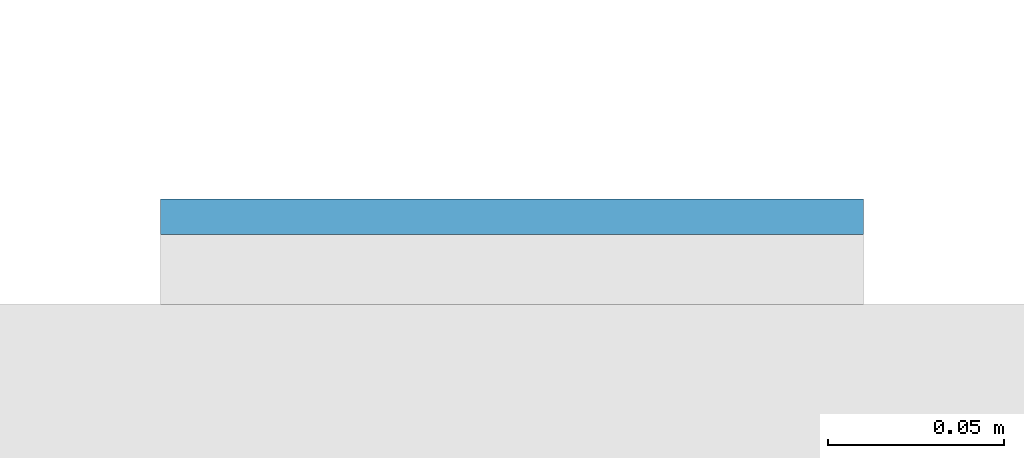
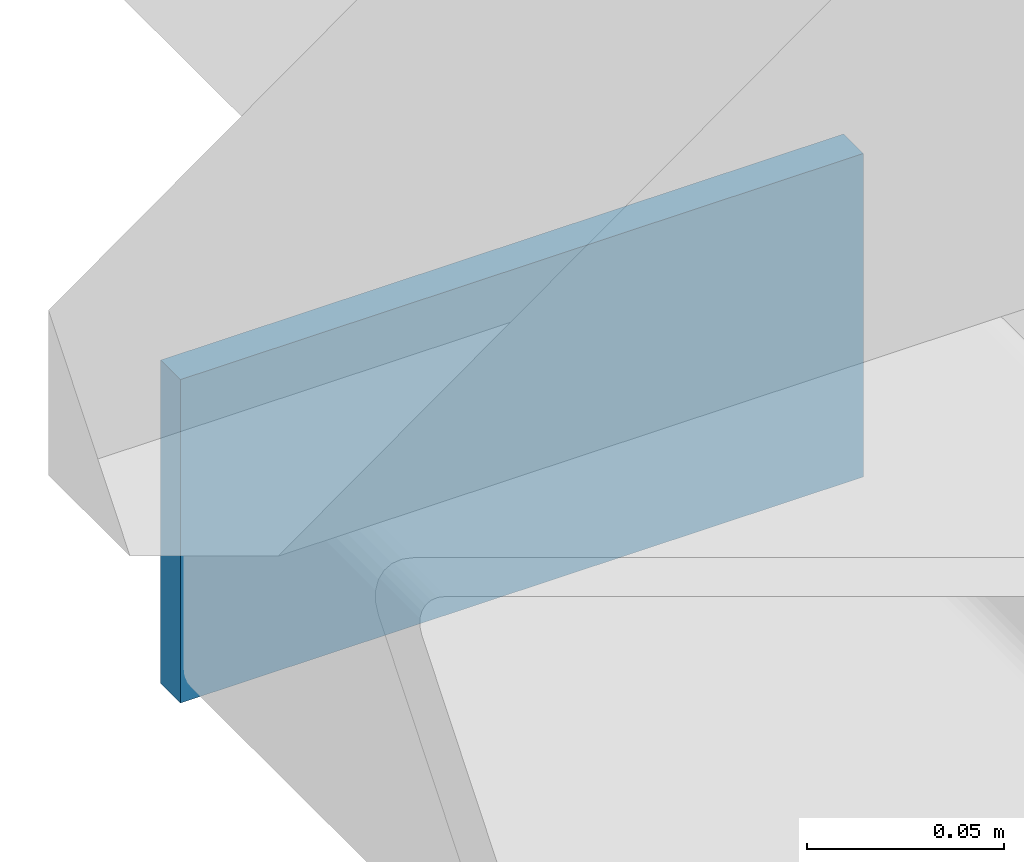
# One storey, part 9 of 20: 1 plate.
"""IFC4 building model written with IfcOpenShell, lengths in metres."""

from ifc_helpers import new_model, si_unit, direction, frame, origin, origin_2d, place, context, subcontext, project, spatial, rectangle, extrude, material, layer, layer_set, type_object, element, save


model = new_model("IFC4")

# Units and contexts
model_context = context("Model", 3, precision=1e-05, world=origin(), true_north=direction((0.0, 1.0)))
body_context = subcontext(model_context, "Body", "Model", "MODEL_VIEW")
ifc_project = project(units=[si_unit("LENGTHUNIT", "METRE"), si_unit("AREAUNIT", "SQUARE_METRE"), si_unit("VOLUMEUNIT", "CUBIC_METRE"), si_unit("PLANEANGLEUNIT", "RADIAN"), si_unit("MASSUNIT", "GRAM", prefix="KILO")], contexts=[model_context])

# Site, building, storey
site_placement = place(None, origin())
site = spatial("IfcSite", under=ifc_project, at=site_placement, CompositionType="ELEMENT")
building_placement = place(site_placement, origin())
building = spatial("IfcBuilding", under=site, at=building_placement, Name="Cleftline Residences", CompositionType="ELEMENT")
storey_placement = place(building_placement, frame((0.0, 0.0, 182.199951171875)))
storey = spatial("IfcBuildingStorey", under=building, at=storey_placement, Name="L47", CompositionType="ELEMENT", Elevation=182.199951171875)

# Plate
ifc_material = material(Name="Steel S355, hot-dip galvanised", Category="steel")
ifc_layer = layer(ifc_material, 0.010009765625)
ifc_layer_set = layer_set([ifc_layer], Name="BAGUETTE CARRIER END PLATE 200X100X10")
plate_type = type_object("IfcPlateType", Name="BAGUETTE CARRIER END PLATE 200X100X10", PredefinedType="USERDEFINED", material=ifc_layer_set)
plate_placement = place(storey_placement, frame((-0.85009765625, 44.304931640625, -0.10009765625), z_axis=(0.0, 0.0, 1.0), x_axis=(-1.0, 0.0, 0.0)))
element("IfcPlate", 1, at=plate_placement, inside=storey, type_object=plate_type, Name="Baguette carrier end plate", ObjectType="BAGUETTE CARRIER END PLATE", PredefinedType="USERDEFINED", context=body_context, shape_type="SweptSolid", body=[
    extrude(rectangle(XDim=0.199951171875, YDim=0.010009765625, at=origin_2d()), origin(), (0.0, 0.0, 1.0), 0.10009765625),
])

save(model, "model.ifc")
